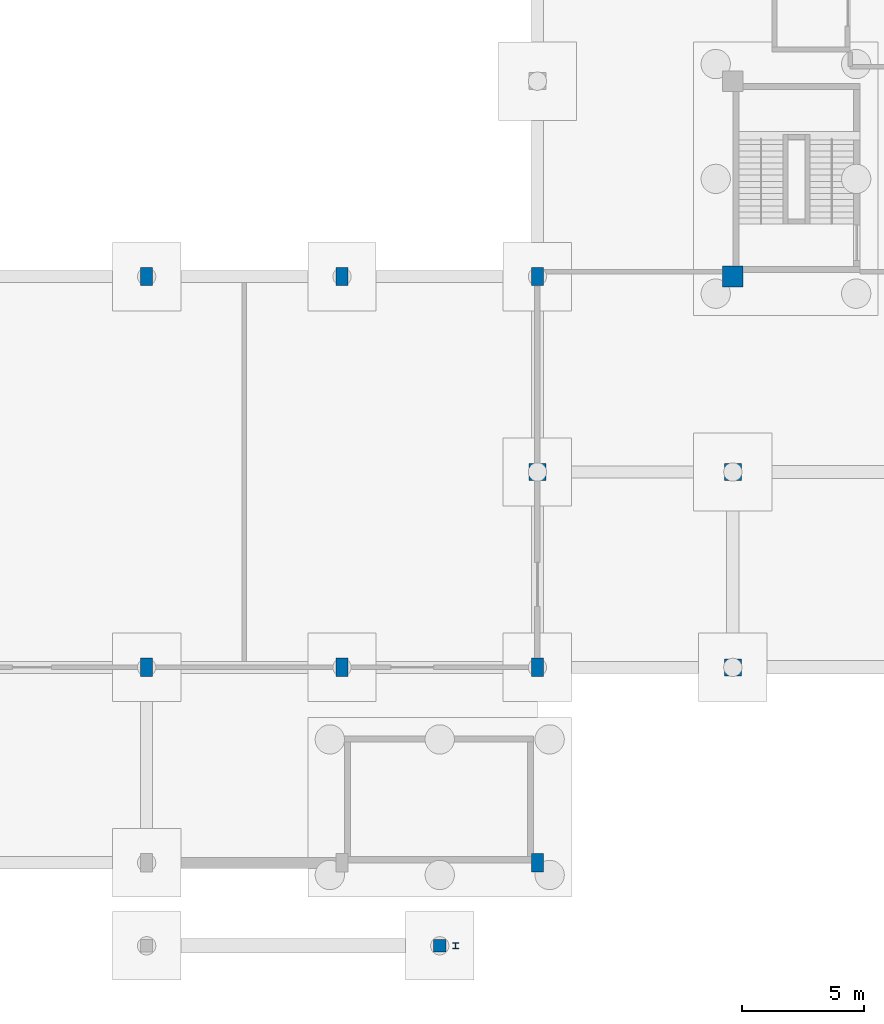
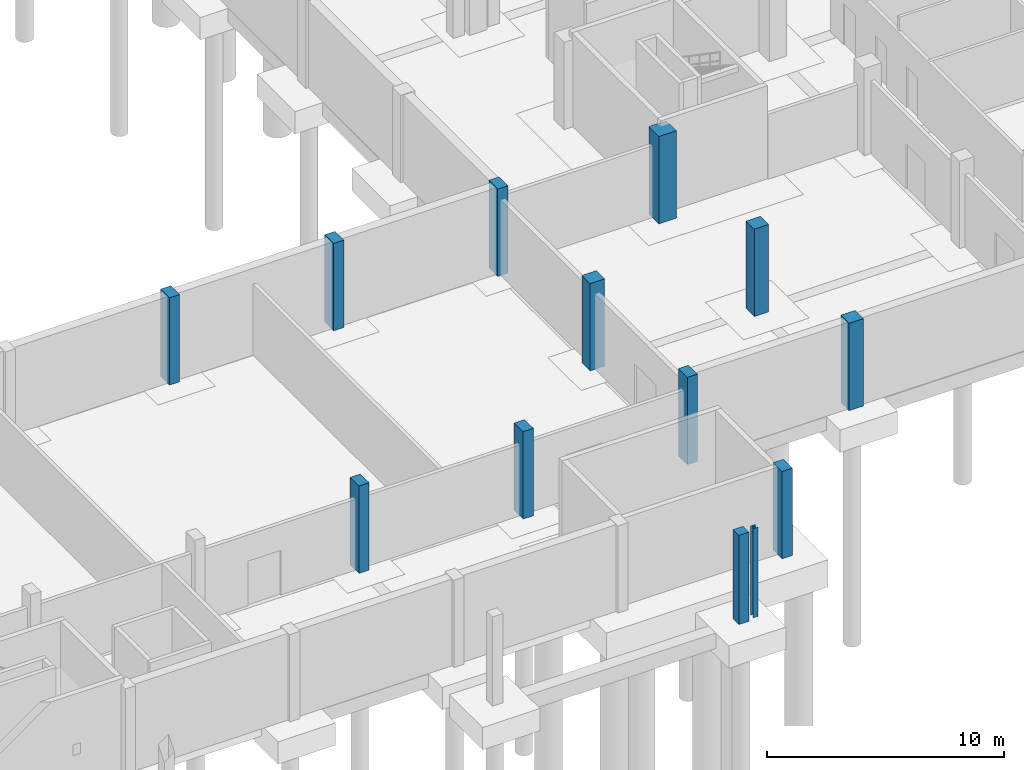
# One storey, part 13 of 29: 13 columns.
"""IFC4 building model written with IfcOpenShell, lengths in metres."""

from ifc_helpers import new_model, si_unit, direction, frame, origin, origin_2d, place, context, subcontext, project, spatial, rectangle, i_section, extrude, material, material_profile, profile_set, type_object, element, save


model = new_model("IFC4")

# Units and contexts
model_context = context("Model", 3, precision=1e-05, world=origin(), true_north=direction((0.0, 1.0)))
body_context = subcontext(model_context, "Body", "Model", "MODEL_VIEW")
ifc_project = project(units=[si_unit("LENGTHUNIT", "METRE"), si_unit("AREAUNIT", "SQUARE_METRE"), si_unit("VOLUMEUNIT", "CUBIC_METRE"), si_unit("PLANEANGLEUNIT", "RADIAN"), si_unit("MASSUNIT", "GRAM", prefix="KILO")], contexts=[model_context])

# Site, building, storey
site_placement = place(None, origin())
site = spatial("IfcSite", under=ifc_project, at=site_placement, CompositionType="ELEMENT")
building_placement = place(site_placement, origin())
building = spatial("IfcBuilding", under=site, at=building_placement, Name="Drelvana Railside Aquatics Centre", CompositionType="ELEMENT")
storey_placement = place(building_placement, frame((0.0, 0.0, -4.800048828125)))
storey = spatial("IfcBuildingStorey", under=building, at=storey_placement, Name="B1", CompositionType="ELEMENT", Elevation=-4.800048828125)

# Columns
ifc_material_1 = material(Name="Concrete C40/50", Category="concrete")
ifc_material_profile_1 = material_profile(ifc_material_1, rectangle(XDim=0.5, YDim=0.5, at=origin_2d()), Name="RC 500x500")
ifc_profile_set_1 = profile_set([ifc_material_profile_1], Name="Concrete C40/50")
column_type_1 = type_object("IfcColumnType", Name="STR-COL-RC-500x500", PredefinedType="COLUMN", material=ifc_profile_set_1)
column_1_placement = place(storey_placement, frame((140.0, -3.39990234375, 0.0), z_axis=(0.0, 0.0, 1.0), x_axis=(1.0, 0.0, 0.0)))
element("IfcColumn", 1, at=column_1_placement, inside=storey, type_object=column_type_1, Name="Column C-02 (B1)", PredefinedType="COLUMN", context=body_context, shape_type="SweptSolid", body=[
    extrude(rectangle(XDim=0.5, YDim=0.5, at=origin_2d()), origin(), (0.0, 0.0, 1.0), 4.590087890625),
])
ifc_material_profile_2 = material_profile(ifc_material_1, rectangle(XDim=0.5, YDim=0.75, at=origin_2d()), Name="RC 500x750")
ifc_profile_set_2 = profile_set([ifc_material_profile_2], Name="Concrete C40/50")
column_type_2 = type_object("IfcColumnType", Name="STR-COL-RC-500x750", PredefinedType="COLUMN", material=ifc_profile_set_2)
for number, where, z_axis, x_axis, name in (
    (2, (128.0, 8.0, 0.0), (0.0, 0.0, 1.0), (1.0, 0.0, 0.0), "Column C-12 (B1)"),
    (3, (128.0, 24.0, 0.0), (0.0, 0.0, 1.0), (1.0, 0.0, 0.0), "Column C-12 (B1)"),
    (4, (136.0, 8.0, 0.0), (0.0, 0.0, 1.0), (1.0, 0.0, 0.0), "Column C-12 (B1)"),
    (5, (136.0, 24.0, 0.0), (0.0, 0.0, 1.0), (1.0, 0.0, 0.0), "Column C-12 (B1)"),
    (6, (144.0, 0.0, 0.0), (0.0, 0.0, 1.0), (1.0, 0.0, 0.0), "Column C-12 (B1)"),
    (7, (144.0, 8.0, 0.0), (0.0, 0.0, 1.0), (1.0, 0.0, 0.0), "Column C-12 (B1)"),
    (8, (144.0, 24.0, 0.0), (0.0, 0.0, 1.0), (1.0, 0.0, 0.0), "Column C-12 (B1)"),
):
    element("IfcColumn", number, at=place(storey_placement, frame(where, z_axis=z_axis, x_axis=x_axis)), inside=storey, type_object=column_type_2, Name=name, PredefinedType="COLUMN", context=body_context, shape_type="SweptSolid", body=[
        extrude(rectangle(XDim=0.5, YDim=0.75, at=origin_2d()), origin(), (0.0, 0.0, 1.0), 4.5),
    ])
ifc_material_profile_3 = material_profile(ifc_material_1, rectangle(XDim=0.699951171875, YDim=0.699951171875, at=origin_2d()), Name="RC 700x700")
ifc_profile_set_3 = profile_set([ifc_material_profile_3], Name="Concrete C40/50")
column_type_3 = type_object("IfcColumnType", Name="STR-COL-RC-700x700", PredefinedType="COLUMN", material=ifc_profile_set_3)
for number, where, z_axis, x_axis, name in (
    (9, (144.0, 16.0, 0.0), (0.0, 0.0, 1.0), (1.0, 0.0, 0.0), "Column C-06 (B1)"),
    (10, (152.0, 8.0, 0.0), (0.0, 0.0, 1.0), (1.0, 0.0, 0.0), "Column C-06 (B1)"),
    (11, (152.0, 16.0, 0.0), (0.0, 0.0, 1.0), (1.0, 0.0, 0.0), "Column C-06 (B1)"),
):
    element("IfcColumn", number, at=place(storey_placement, frame(where, z_axis=z_axis, x_axis=x_axis)), inside=storey, type_object=column_type_3, Name=name, PredefinedType="COLUMN", context=body_context, shape_type="SweptSolid", body=[
        extrude(rectangle(XDim=0.699951171875, YDim=0.699951171875, at=origin_2d()), origin(), (0.0, 0.0, 1.0), 4.5),
    ])
ifc_material_profile_4 = material_profile(ifc_material_1, rectangle(XDim=0.85009765625, YDim=0.85009765625, at=origin_2d()), Name="RC 850x850")
ifc_profile_set_4 = profile_set([ifc_material_profile_4], Name="Concrete C40/50")
column_type_4 = type_object("IfcColumnType", Name="STR-COL-RC-850x850", PredefinedType="COLUMN", material=ifc_profile_set_4)
column_2_placement = place(storey_placement, frame((152.0, 24.0, 0.0), z_axis=(0.0, 0.0, 1.0), x_axis=(1.0, 0.0, 0.0)))
element("IfcColumn", 12, at=column_2_placement, inside=storey, type_object=column_type_4, Name="Column C-09 (B1)", PredefinedType="COLUMN", context=body_context, shape_type="SweptSolid", body=[
    extrude(rectangle(XDim=0.85009765625, YDim=0.85009765625, at=origin_2d()), origin(), (0.0, 0.0, 1.0), 4.5),
])
ifc_material_2 = material(Name="Structural steel S355", Category="steel")
ifc_material_profile_5 = material_profile(ifc_material_2, i_section(OverallWidth=0.239990234375, OverallDepth=0.239990234375, WebThickness=0.010009765625, FlangeThickness=0.01708984375, at=origin_2d()), Name="HEB 240")
ifc_profile_set_5 = profile_set([ifc_material_profile_5], Name="Structural steel S355")
column_type_5 = type_object("IfcColumnType", Name="STR-SCOL-HEB-240", PredefinedType="COLUMN", material=ifc_profile_set_5)
column_3_placement = place(storey_placement, frame((140.64990234375, -3.39990234375, 0.0), z_axis=(0.0, 0.0, 1.0), x_axis=(1.0, 0.0, 0.0)))
element("IfcColumn", 13, at=column_3_placement, inside=storey, type_object=column_type_5, Name="Forecourt pilaster SC-00 #2", PredefinedType="COLUMN", context=body_context, shape_type="SweptSolid", body=[
    extrude(i_section(OverallWidth=0.239990234375, OverallDepth=0.239990234375, WebThickness=0.010009765625, FlangeThickness=0.01708984375, at=origin_2d()), origin(), (0.0, 0.0, 1.0), 4.590087890625),
])

save(model, "model.ifc")
